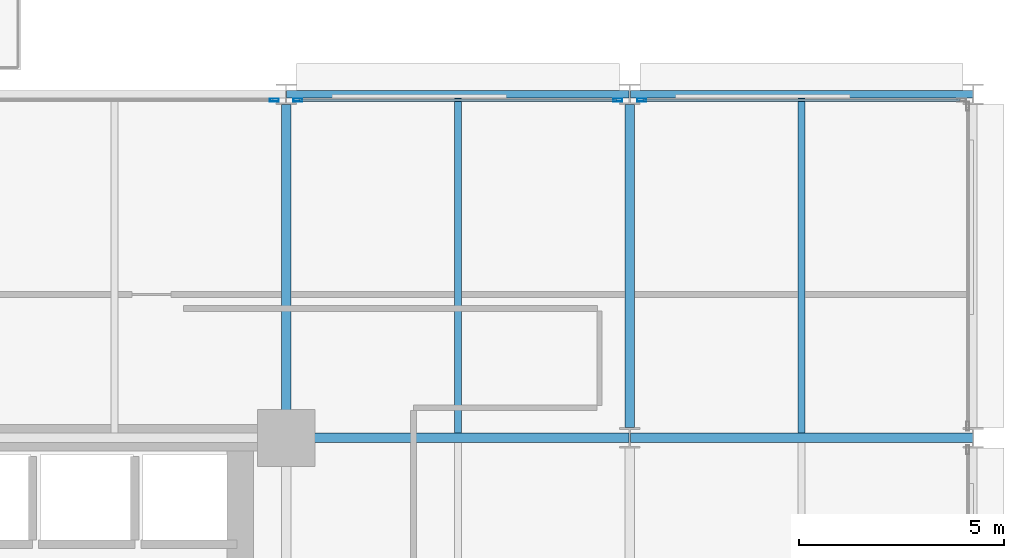
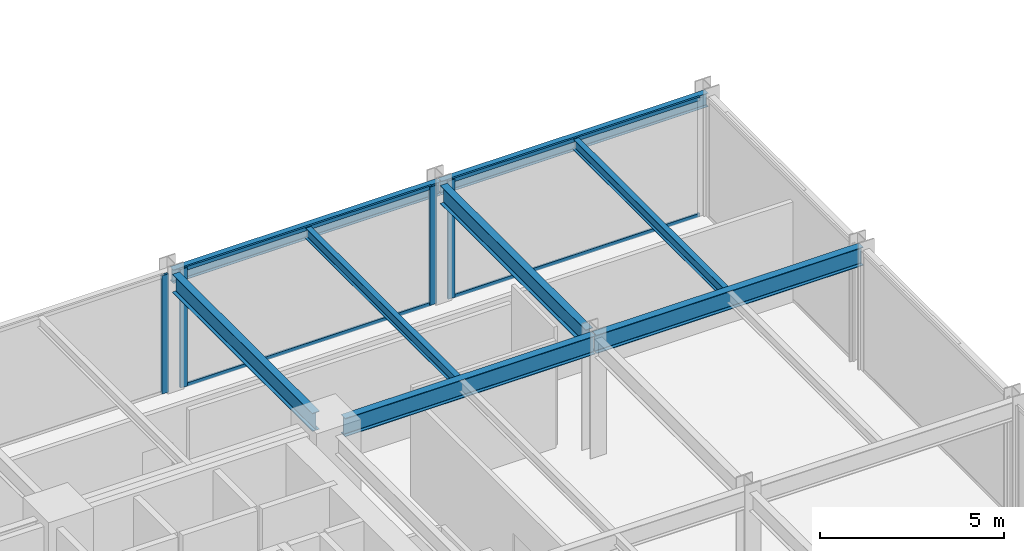
# One storey, part 12 of 25: 8 beams, 8 members, 3 elements without a shape of their own.
"""IFC4 building model written with IfcOpenShell, lengths in metres."""

from ifc_helpers import new_model, si_unit, direction, frame, origin, origin_2d, place, context, subcontext, project, spatial, hollow_rectangle, i_section, extrude, material, layer, layer_set, material_profile, profile_set, type_object, element, aggregate, save


model = new_model("IFC4")

# Units and contexts
model_context = context("Model", 3, precision=1e-05, world=origin(), true_north=direction((0.0, 1.0)))
body_context = subcontext(model_context, "Body", "Model", "MODEL_VIEW")
ifc_project = project(units=[si_unit("LENGTHUNIT", "METRE"), si_unit("AREAUNIT", "SQUARE_METRE"), si_unit("VOLUMEUNIT", "CUBIC_METRE"), si_unit("PLANEANGLEUNIT", "RADIAN"), si_unit("MASSUNIT", "GRAM", prefix="KILO")], contexts=[model_context])

# Site, building, storey
site_placement = place(None, origin())
site = spatial("IfcSite", under=ifc_project, at=site_placement, CompositionType="ELEMENT")
building_placement = place(site_placement, origin())
building = spatial("IfcBuilding", under=site, at=building_placement, Name="Nerrivon Quay Data Exchange", CompositionType="ELEMENT")
storey_placement = place(building_placement, frame((0.0, 0.0, 54.199951171875)))
storey = spatial("IfcBuildingStorey", under=building, at=storey_placement, Name="L12", CompositionType="ELEMENT", Elevation=54.199951171875)

# Beams
ifc_material_1 = material(Name="Steel Grade 350", Category="steel")
ifc_material_profile_1 = material_profile(ifc_material_1, i_section(OverallWidth=0.22900390625, OverallDepth=0.612060546875, WebThickness=0.011962890625, FlangeThickness=0.01953125, FilletRadius=0.013916015625, at=origin_2d()), Name="610UB125")
ifc_profile_set_1 = profile_set([ifc_material_profile_1], Name="Steel Grade 350")
beam_type_1 = type_object("IfcBeamType", Name="BM-G1-610UB125", PredefinedType="BEAM", material=ifc_profile_set_1)
beam_1_placement = place(storey_placement, frame((34.139892578125, 16.800048828125, 3.619140625), z_axis=(1.0, 0.0, 0.0), x_axis=(0.0, 1.0, 0.0)))
element("IfcBeam", 1, at=beam_1_placement, inside=storey, type_object=beam_type_1, Name="L12 EW Girder Y=16.8 (33.6..42.0)", PredefinedType="BEAM", context=body_context, shape_type="SweptSolid", body=[
    extrude(i_section(OverallWidth=0.22900390625, OverallDepth=0.612060546875, WebThickness=0.011962890625, FlangeThickness=0.01953125, FilletRadius=0.013916015625, at=origin_2d()), origin(), (0.0, 0.0, 1.0), 7.84619140625),
])
beam_2_placement = place(storey_placement, frame((42.013916015625, 16.800048828125, 3.619140625), z_axis=(1.0, 0.0, 0.0), x_axis=(0.0, 1.0, 0.0)))
element("IfcBeam", 2, at=beam_2_placement, inside=storey, type_object=beam_type_1, Name="L12 EW Girder Y=16.8 (42.0..50.4)", PredefinedType="BEAM", context=body_context, shape_type="SweptSolid", body=[
    extrude(i_section(OverallWidth=0.22900390625, OverallDepth=0.612060546875, WebThickness=0.011962890625, FlangeThickness=0.01953125, FilletRadius=0.013916015625, at=origin_2d()), origin(), (0.0, 0.0, 1.0), 8.3720703125),
])
ifc_material_profile_2 = material_profile(ifc_material_1, i_section(OverallWidth=0.22802734375, OverallDepth=0.60205078125, WebThickness=0.010498046875, FlangeThickness=0.014892578125, FilletRadius=0.013916015625, at=origin_2d()), Name="610UB101")
ifc_profile_set_2 = profile_set([ifc_material_profile_2], Name="Steel Grade 350")
beam_type_2 = type_object("IfcBeamType", Name="BM-G2-610UB101", PredefinedType="BEAM", material=ifc_profile_set_2)
beam_3_placement = place(storey_placement, frame((33.60009765625, 17.340087890625, 3.6240234375), z_axis=(0.0, 1.0, 0.0), x_axis=(-1.0, 0.0, 0.0)))
element("IfcBeam", 3, at=beam_3_placement, inside=storey, type_object=beam_type_2, Name="L12 NS Girder X=33.6 (16.8..25.2)", PredefinedType="BEAM", context=body_context, shape_type="SweptSolid", body=[
    extrude(i_section(OverallWidth=0.22802734375, OverallDepth=0.60205078125, WebThickness=0.010498046875, FlangeThickness=0.014892578125, FilletRadius=0.013916015625, at=origin_2d()), origin(), (0.0, 0.0, 1.0), 7.60986328125),
])
beam_4_placement = place(storey_placement, frame((42.0, 17.050048828125, 3.6240234375), z_axis=(0.0, 1.0, 0.0), x_axis=(-1.0, 0.0, 0.0)))
element("IfcBeam", 4, at=beam_4_placement, inside=storey, type_object=beam_type_2, Name="L12 NS Girder X=42.0 (16.8..25.2)", PredefinedType="BEAM", context=body_context, shape_type="SweptSolid", body=[
    extrude(i_section(OverallWidth=0.22802734375, OverallDepth=0.60205078125, WebThickness=0.010498046875, FlangeThickness=0.014892578125, FilletRadius=0.013916015625, at=origin_2d()), origin(), (0.0, 0.0, 1.0), 7.89990234375),
])
ifc_material_profile_3 = material_profile(ifc_material_1, i_section(OverallWidth=0.172119140625, OverallDepth=0.35888671875, WebThickness=0.008056640625, FlangeThickness=0.012939453125, FilletRadius=0.011474609375, at=origin_2d()), Name="360UB56.7")
ifc_profile_set_3 = profile_set([ifc_material_profile_3], Name="Steel Grade 350")
beam_type_3 = type_object("IfcBeamType", Name="BM-J3-360UB57", PredefinedType="JOIST", material=ifc_profile_set_3)
for number, where, z_axis, x_axis, name in (
    (5, (37.800048828125, 16.91455078125, 3.74560546875), (0.0, 1.0, 0.0), (-1.0, 0.0, 0.0), "L12 Secondary Joist X=37.8 (16.8..25.2)"),
    (6, (46.199951171875, 16.91455078125, 3.74560546875), (0.0, 1.0, 0.0), (-1.0, 0.0, 0.0), "L12 Secondary Joist X=46.2 (16.8..25.2)"),
):
    element("IfcBeam", number, at=place(storey_placement, frame(where, z_axis=z_axis, x_axis=x_axis)), inside=storey, type_object=beam_type_3, Name=name, PredefinedType="JOIST", context=body_context, shape_type="SweptSolid", body=[
        extrude(i_section(OverallWidth=0.172119140625, OverallDepth=0.35888671875, WebThickness=0.008056640625, FlangeThickness=0.012939453125, FilletRadius=0.011474609375, at=origin_2d()), origin(), (0.0, 0.0, 1.0), 8.1904296875),
    ])
ifc_material_profile_4 = material_profile(ifc_material_1, i_section(OverallWidth=0.18994140625, OverallDepth=0.4541015625, WebThickness=0.008544921875, FlangeThickness=0.0126953125, FilletRadius=0.011474609375, at=origin_2d()), Name="460UB67.1")
ifc_profile_set_4 = profile_set([ifc_material_profile_4], Name="Steel Grade 350")
beam_type_4 = type_object("IfcBeamType", Name="BM-SP1-460UB67", PredefinedType="SPANDREL", material=ifc_profile_set_4)
for number, where, z_axis, x_axis, name in (
    (7, (33.614013671875, 25.199951171875, 3.697998046875), (1.0, 0.0, 0.0), (0.0, 1.0, 0.0), "L12 EW Girder Y=25.2 (33.6..42.0)"),
    (8, (42.013916015625, 25.199951171875, 3.697998046875), (1.0, 0.0, 0.0), (0.0, 1.0, 0.0), "L12 EW Girder Y=25.2 (42.0..50.4)"),
):
    element("IfcBeam", number, at=place(storey_placement, frame(where, z_axis=z_axis, x_axis=x_axis)), inside=storey, type_object=beam_type_4, Name=name, PredefinedType="SPANDREL", context=body_context, shape_type="SweptSolid", body=[
        extrude(i_section(OverallWidth=0.18994140625, OverallDepth=0.4541015625, WebThickness=0.008544921875, FlangeThickness=0.0126953125, FilletRadius=0.011474609375, at=origin_2d()), origin(), (0.0, 0.0, 1.0), 8.3720703125),
    ])

# Curtain wall, member
ifc_material_2 = material(Name="Anodised aluminium 6063-T6", Category="aluminium")
ifc_layer = layer(ifc_material_2, 0.219970703125)
ifc_layer_set = layer_set([ifc_layer], Name="Anodised aluminium 6063-T6")
curtain_wall_type = type_object("IfcCurtainWallType", Name="CW-SYS-01", PredefinedType="NOTDEFINED", material=ifc_layer_set)
curtain_wall_1_placement = place(storey_placement, origin())
curtain_wall_1 = element("IfcCurtainWall", 9, at=curtain_wall_1_placement, inside=storey, type_object=curtain_wall_type, Name="L12 Unitised Curtain Wall 28", PredefinedType="NOTDEFINED")
ifc_material_profile_5 = material_profile(ifc_material_2, hollow_rectangle(XDim=0.074951171875, YDim=0.219970703125, WallThickness=0.00390625, at=origin_2d()), Name="ALU-MULL-220x75")
ifc_profile_set_5 = profile_set([ifc_material_profile_5], Name="Anodised aluminium 6063-T6")
member_type_1 = type_object("IfcMemberType", Name="CWM-220x75", PredefinedType="MULLION", material=ifc_profile_set_5)
member_1_placement = place(storey_placement, frame((33.3125, 25.06005859375, 0.0), z_axis=(0.0, 0.0, 1.0), x_axis=(0.0, 1.0, 0.0)))
member_1 = element("IfcMember", 10, at=member_1_placement, type_object=member_type_1, Name="CW01 mullion 2", PredefinedType="MULLION", context=body_context, shape_type="SweptSolid", body=[
    extrude(hollow_rectangle(XDim=0.074951171875, YDim=0.219970703125, WallThickness=0.00390625, at=origin_2d()), origin(), (0.0, 0.0, 1.0), 3.925048828125),
])
aggregate(curtain_wall_1, [member_1])

# Curtain wall, members
curtain_wall_2_placement = place(storey_placement, origin())
curtain_wall_2 = element("IfcCurtainWall", 11, at=curtain_wall_2_placement, inside=storey, type_object=curtain_wall_type, Name="L12 Unitised Curtain Wall 29", PredefinedType="NOTDEFINED")
member_2_placement = place(storey_placement, frame((33.887451171875, 25.06005859375, 0.0), z_axis=(0.0, 0.0, 1.0), x_axis=(0.0, 1.0, 0.0)))
member_2 = element("IfcMember", 12, at=member_2_placement, type_object=member_type_1, Name="CW01 mullion 1", PredefinedType="MULLION", context=body_context, shape_type="SweptSolid", body=[
    extrude(hollow_rectangle(XDim=0.074951171875, YDim=0.219970703125, WallThickness=0.00390625, at=origin_2d()), origin(), (0.0, 0.0, 1.0), 3.925048828125),
])
member_3_placement = place(storey_placement, frame((41.71240234375, 25.06005859375, 0.0), z_axis=(0.0, 0.0, 1.0), x_axis=(0.0, 1.0, 0.0)))
member_3 = element("IfcMember", 13, at=member_3_placement, type_object=member_type_1, Name="CW01 mullion 2", PredefinedType="MULLION", context=body_context, shape_type="SweptSolid", body=[
    extrude(hollow_rectangle(XDim=0.074951171875, YDim=0.219970703125, WallThickness=0.00390625, at=origin_2d()), origin(), (0.0, 0.0, 1.0), 3.925048828125),
])

# Curtain wall, member
curtain_wall_3_placement = place(storey_placement, origin())
curtain_wall_3 = element("IfcCurtainWall", 14, at=curtain_wall_3_placement, inside=storey, type_object=curtain_wall_type, Name="L12 Unitised Curtain Wall 30", PredefinedType="NOTDEFINED")
member_4_placement = place(storey_placement, frame((42.28759765625, 25.06005859375, 0.0), z_axis=(0.0, 0.0, 1.0), x_axis=(0.0, 1.0, 0.0)))
member_4 = element("IfcMember", 15, at=member_4_placement, type_object=member_type_1, Name="CW01 mullion 1", PredefinedType="MULLION", context=body_context, shape_type="SweptSolid", body=[
    extrude(hollow_rectangle(XDim=0.074951171875, YDim=0.219970703125, WallThickness=0.00390625, at=origin_2d()), origin(), (0.0, 0.0, 1.0), 3.925048828125),
])

# Member
ifc_material_profile_6 = material_profile(ifc_material_2, hollow_rectangle(XDim=0.06005859375, YDim=0.1201171875, WallThickness=0.003173828125, at=origin_2d()), Name="ALU-TRAN-120x60")
ifc_profile_set_6 = profile_set([ifc_material_profile_6], Name="Anodised aluminium 6063-T6")
member_type_2 = type_object("IfcMemberType", Name="CWT-120x60", PredefinedType="USERDEFINED", material=ifc_profile_set_6)
member_5_placement = place(storey_placement, frame((33.925048828125, 25.06005859375, 0.032470703125), z_axis=(1.0, 0.0, 0.0), x_axis=(0.0, 1.0, 0.0)))
member_5 = element("IfcMember", 16, at=member_5_placement, type_object=member_type_2, Name="CW01 transom 1.1", ObjectType="TRANSOM", PredefinedType="USERDEFINED", context=body_context, shape_type="SweptSolid", body=[
    extrude(hollow_rectangle(XDim=0.06005859375, YDim=0.1201171875, WallThickness=0.003173828125, at=origin_2d()), origin(), (0.0, 0.0, 1.0), 7.75),
])

member_6_placement = place(storey_placement, frame((33.925048828125, 25.06005859375, 3.892578125), z_axis=(1.0, 0.0, 0.0), x_axis=(0.0, 1.0, 0.0)))
member_6 = element("IfcMember", 17, at=member_6_placement, type_object=member_type_2, Name="CW01 transom 1.2", ObjectType="TRANSOM", PredefinedType="USERDEFINED", context=body_context, shape_type="SweptSolid", body=[
    extrude(hollow_rectangle(XDim=0.06005859375, YDim=0.1201171875, WallThickness=0.003173828125, at=origin_2d()), origin(), (0.0, 0.0, 1.0), 7.75),
])

aggregate(curtain_wall_2, [member_2, member_3, member_5, member_6])

member_7_placement = place(storey_placement, frame((42.324951171875, 25.06005859375, 0.032470703125), z_axis=(1.0, 0.0, 0.0), x_axis=(0.0, 1.0, 0.0)))
member_7 = element("IfcMember", 18, at=member_7_placement, type_object=member_type_2, Name="CW01 transom 1.1", ObjectType="TRANSOM", PredefinedType="USERDEFINED", context=body_context, shape_type="SweptSolid", body=[
    extrude(hollow_rectangle(XDim=0.06005859375, YDim=0.1201171875, WallThickness=0.003173828125, at=origin_2d()), origin(), (0.0, 0.0, 1.0), 7.75),
])

member_8_placement = place(storey_placement, frame((42.324951171875, 25.06005859375, 3.892578125), z_axis=(1.0, 0.0, 0.0), x_axis=(0.0, 1.0, 0.0)))
member_8 = element("IfcMember", 19, at=member_8_placement, type_object=member_type_2, Name="CW01 transom 1.2", ObjectType="TRANSOM", PredefinedType="USERDEFINED", context=body_context, shape_type="SweptSolid", body=[
    extrude(hollow_rectangle(XDim=0.06005859375, YDim=0.1201171875, WallThickness=0.003173828125, at=origin_2d()), origin(), (0.0, 0.0, 1.0), 7.75),
])

aggregate(curtain_wall_3, [member_4, member_7, member_8])

save(model, "model.ifc")
